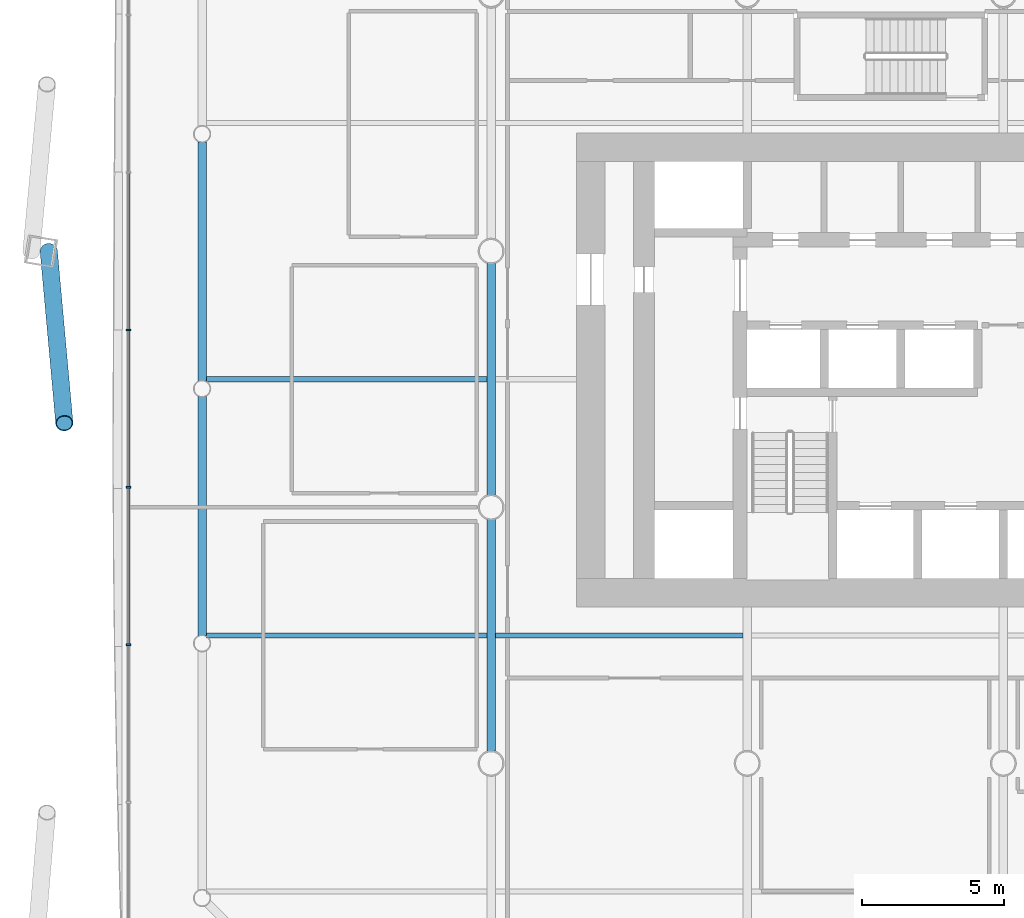
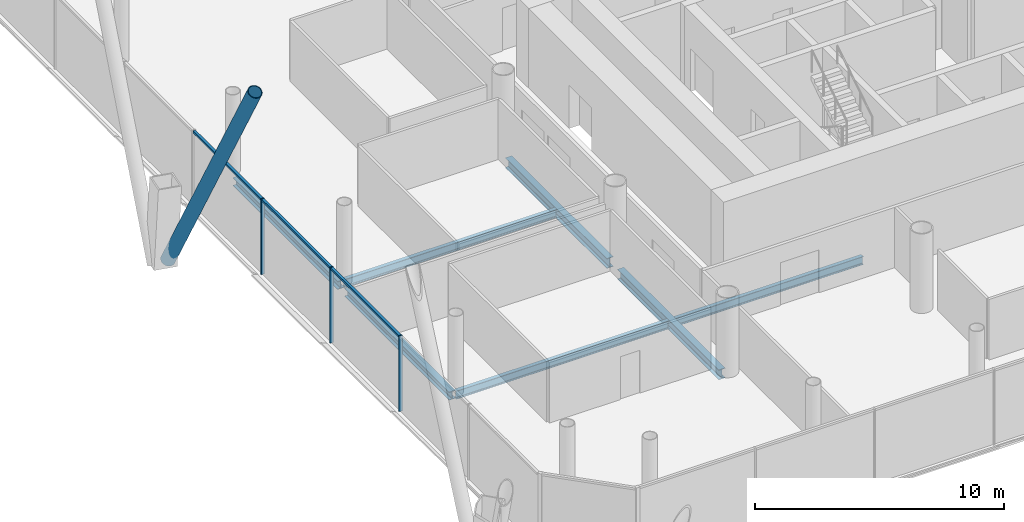
# One storey, part 5 of 25: 7 beams, 7 members, 1 element without a shape of its own.
"""IFC4 building model written with IfcOpenShell, lengths in metres."""

from ifc_helpers import new_model, si_unit, direction, frame, origin, origin_2d, place, context, subcontext, project, spatial, rectangle, hollow_circle, i_section, extrude, material, material_profile, profile_set, type_object, element, aggregate, save


model = new_model("IFC4")

# Units and contexts
model_context = context("Model", 3, precision=1e-05, world=origin(), true_north=direction((0.0, 1.0)))
body_context = subcontext(model_context, "Body", "Model", "MODEL_VIEW")
ifc_project = project(units=[si_unit("LENGTHUNIT", "METRE"), si_unit("AREAUNIT", "SQUARE_METRE"), si_unit("VOLUMEUNIT", "CUBIC_METRE"), si_unit("PLANEANGLEUNIT", "RADIAN"), si_unit("MASSUNIT", "GRAM", prefix="KILO")], contexts=[model_context])

# Site, building, storey
site_placement = place(None, origin())
site = spatial("IfcSite", under=ifc_project, at=site_placement, CompositionType="ELEMENT")
building_placement = place(site_placement, origin())
building = spatial("IfcBuilding", under=site, at=building_placement, Name="Tskaro Facet Tower", CompositionType="ELEMENT")
storey_placement = place(building_placement, frame((0.0, 0.0, 10.800048828125)))
storey = spatial("IfcBuildingStorey", under=building, at=storey_placement, Name="L01", CompositionType="ELEMENT", Elevation=10.800048828125)

# Member
ifc_material_1 = material(Name="Steel S355J2H", Category="steel")
ifc_material_profile_1 = material_profile(ifc_material_1, hollow_circle(Radius=0.304931640625, WallThickness=0.030029296875, at=origin_2d()), Name="CHS 610x30")
ifc_profile_set_1 = profile_set([ifc_material_profile_1], Name="Steel S355J2H")
member_type_1 = type_object("IfcMemberType", Name="CHS 610x30 brace", PredefinedType="BRACE", material=ifc_profile_set_1)
member_1_placement = place(storey_placement, frame((-33.544921875, 0.0, 0.0), z_axis=(0.041546280702, -0.458620557373, 0.887660459249), x_axis=(0.995921840111, 0.090220221622, 0.0)))
element("IfcMember", 1, at=member_1_placement, inside=storey, type_object=member_type_1, Name="CHS 610x30 XB11A/1", PredefinedType="BRACE", context=body_context, shape_type="SweptSolid", body=[
    extrude(hollow_circle(Radius=0.304931640625, WallThickness=0.030029296875, at=origin_2d()), origin(), (0.0, 0.0, 1.0), 13.1806640625),
])

# Curtain wall, members
ifc_material_2 = material(Name="Bronze anodised aluminium 6063-T6", Category="aluminium")
curtain_wall_type = type_object("IfcCurtainWallType", Name="Bronze office curtain wall (FW1)", PredefinedType="NOTDEFINED", material=ifc_material_2)
curtain_wall_placement = place(storey_placement, origin())
curtain_wall = element("IfcCurtainWall", 2, at=curtain_wall_placement, inside=storey, type_object=curtain_wall_type, Name="FW1 west facet L01", PredefinedType="NOTDEFINED")
ifc_material_profile_2 = material_profile(ifc_material_2, rectangle(XDim=0.06005859375, YDim=0.159912109375, at=origin_2d()), Name="Mullion 60x160")
ifc_profile_set_2 = profile_set([ifc_material_profile_2], Name="Bronze anodised aluminium 6063-T6")
member_type_2 = type_object("IfcMemberType", Name="FW1 bronze mullion 60x160", PredefinedType="MULLION", material=ifc_profile_set_2)
member_2_placement = place(storey_placement, frame((-30.75, -2.76611328125, 0.0), z_axis=(0.0, 0.0, 1.0), x_axis=(0.0, -1.0, 0.0)))
member_2 = element("IfcMember", 3, at=member_2_placement, type_object=member_type_2, Name="FW1 west mullion 5", PredefinedType="MULLION", context=body_context, shape_type="SweptSolid", body=[
    extrude(rectangle(XDim=0.06005859375, YDim=0.159912109375, at=origin_2d()), origin(), (0.0, 0.0, 1.0), 3.699951171875),
])
member_3_placement = place(storey_placement, frame((-30.75, -8.298583984375, 0.0), z_axis=(0.0, 0.0, 1.0), x_axis=(0.0, -1.0, 0.0)))
member_3 = element("IfcMember", 4, at=member_3_placement, type_object=member_type_2, Name="FW1 west mullion 6", PredefinedType="MULLION", context=body_context, shape_type="SweptSolid", body=[
    extrude(rectangle(XDim=0.06005859375, YDim=0.159912109375, at=origin_2d()), origin(), (0.0, 0.0, 1.0), 3.699951171875),
])
member_4_placement = place(storey_placement, frame((-30.75, -13.8310546875, 0.0), z_axis=(0.0, 0.0, 1.0), x_axis=(0.0, -1.0, 0.0)))
member_4 = element("IfcMember", 5, at=member_4_placement, type_object=member_type_2, Name="FW1 west mullion 7", PredefinedType="MULLION", context=body_context, shape_type="SweptSolid", body=[
    extrude(rectangle(XDim=0.06005859375, YDim=0.159912109375, at=origin_2d()), origin(), (0.0, 0.0, 1.0), 3.699951171875),
])
ifc_material_profile_3 = material_profile(ifc_material_2, rectangle(XDim=0.1201171875, YDim=0.10009765625, at=origin_2d()), Name="Transom 120x100")
ifc_profile_set_3 = profile_set([ifc_material_profile_3], Name="Bronze anodised aluminium 6063-T6")
member_type_3 = type_object("IfcMemberType", Name="FW1 bronze transom 120x100", PredefinedType="USERDEFINED", material=ifc_profile_set_3)
member_5_placement = place(storey_placement, frame((-30.75, 2.736328125, 3.64990234375), z_axis=(0.0, -1.0, 0.0), x_axis=(1.0, 0.0, 0.0)))
member_5 = element("IfcMember", 6, at=member_5_placement, type_object=member_type_3, Name="FW1 west transom 5.1", ObjectType="TRANSOM", PredefinedType="USERDEFINED", context=body_context, shape_type="SweptSolid", body=[
    extrude(rectangle(XDim=0.1201171875, YDim=0.10009765625, at=origin_2d()), origin(), (0.0, 0.0, 1.0), 5.47265625),
])
member_6_placement = place(storey_placement, frame((-30.75, -2.796142578125, 3.64990234375), z_axis=(0.0, -1.0, 0.0), x_axis=(1.0, 0.0, 0.0)))
member_6 = element("IfcMember", 7, at=member_6_placement, type_object=member_type_3, Name="FW1 west transom 6.1", ObjectType="TRANSOM", PredefinedType="USERDEFINED", context=body_context, shape_type="SweptSolid", body=[
    extrude(rectangle(XDim=0.1201171875, YDim=0.10009765625, at=origin_2d()), origin(), (0.0, 0.0, 1.0), 5.472412109375),
])
member_7_placement = place(storey_placement, frame((-30.75, -8.32861328125, 3.64990234375), z_axis=(0.0, -1.0, 0.0), x_axis=(1.0, 0.0, 0.0)))
member_7 = element("IfcMember", 8, at=member_7_placement, type_object=member_type_3, Name="FW1 west transom 7.1", ObjectType="TRANSOM", PredefinedType="USERDEFINED", context=body_context, shape_type="SweptSolid", body=[
    extrude(rectangle(XDim=0.1201171875, YDim=0.10009765625, at=origin_2d()), origin(), (0.0, 0.0, 1.0), 5.472412109375),
])
aggregate(curtain_wall, [member_2, member_3, member_4, member_5, member_6, member_7])

# Beams
ifc_material_3 = material(Name="Steel S355J2", Category="steel")
ifc_material_profile_4 = material_profile(ifc_material_3, i_section(OverallWidth=0.300048828125, OverallDepth=0.39990234375, WebThickness=0.013427734375, FlangeThickness=0.02392578125, FilletRadius=0.027099609375, at=origin_2d()), Name="HE 400 B")
ifc_profile_set_4 = profile_set([ifc_material_profile_4], Name="Steel S355J2")
beam_type_1 = type_object("IfcBeamType", Name="HE 400 B ring beam", PredefinedType="BEAM", material=ifc_profile_set_4)
beam_1_placement = place(storey_placement, frame((-28.156982421875, 3.841064453125, -0.340087890625), z_axis=(0.0, -1.0, 0.0), x_axis=(1.0, 0.0, 0.0)))
element("IfcBeam", 9, at=beam_1_placement, inside=storey, type_object=beam_type_1, Name="HE 400 B EB22-1", PredefinedType="BEAM", context=body_context, shape_type="SweptSolid", body=[
    extrude(i_section(OverallWidth=0.300048828125, OverallDepth=0.39990234375, WebThickness=0.013427734375, FlangeThickness=0.02392578125, FilletRadius=0.027099609375, at=origin_2d()), origin(), (0.0, 0.0, 1.0), 8.399169921875),
])
beam_2_placement = place(storey_placement, frame((-28.156982421875, -5.10791015625, -0.340087890625), z_axis=(0.0, -1.0, 0.0), x_axis=(1.0, 0.0, 0.0)))
element("IfcBeam", 10, at=beam_2_placement, inside=storey, type_object=beam_type_1, Name="HE 400 B EB23-1", PredefinedType="BEAM", context=body_context, shape_type="SweptSolid", body=[
    extrude(i_section(OverallWidth=0.300048828125, OverallDepth=0.39990234375, WebThickness=0.013427734375, FlangeThickness=0.02392578125, FilletRadius=0.027099609375, at=origin_2d()), origin(), (0.0, 0.0, 1.0), 8.398193359375),
])
ifc_material_profile_5 = material_profile(ifc_material_3, i_section(OverallWidth=0.300048828125, OverallDepth=0.489990234375, WebThickness=0.011962890625, FlangeThickness=0.02294921875, FilletRadius=0.027099609375, at=origin_2d()), Name="HE 500 A")
ifc_profile_set_5 = profile_set([ifc_material_profile_5], Name="Steel S355J2")
beam_type_2 = type_object("IfcBeamType", Name="HE 500 A girder", PredefinedType="BEAM", material=ifc_profile_set_5)
for number, where, z_axis, x_axis, name in (
    (11, (-18.0, -17.57275390625, -0.385009765625), (0.0, 1.0, 0.0), (-1.0, 0.0, 0.0), "HE 500 A GB2-2-1"),
    (12, (-18.0, -8.57275390625, -0.385009765625), (0.0, 1.0, 0.0), (-1.0, 0.0, 0.0), "HE 500 A GB2-3-1"),
):
    element("IfcBeam", number, at=place(storey_placement, frame(where, z_axis=z_axis, x_axis=x_axis)), inside=storey, type_object=beam_type_2, Name=name, PredefinedType="BEAM", context=body_context, shape_type="SweptSolid", body=[
        extrude(i_section(OverallWidth=0.300048828125, OverallDepth=0.489990234375, WebThickness=0.011962890625, FlangeThickness=0.02294921875, FilletRadius=0.027099609375, at=origin_2d()), origin(), (0.0, 0.0, 1.0), 8.1455078125),
    ])
ifc_material_profile_6 = material_profile(ifc_material_3, i_section(OverallWidth=0.179931640625, OverallDepth=0.39990234375, WebThickness=0.008544921875, FlangeThickness=0.013427734375, FilletRadius=0.02099609375, at=origin_2d()), Name="IPE 400")
ifc_profile_set_6 = profile_set([ifc_material_profile_6], Name="Steel S355J2")
beam_type_3 = type_object("IfcBeamType", Name="IPE 400 secondary beam", PredefinedType="BEAM", material=ifc_profile_set_6)
beam_3_placement = place(storey_placement, frame((-28.007080078125, -13.5, -0.340087890625), z_axis=(1.0, 0.0, 0.0), x_axis=(0.0, 1.0, 0.0)))
element("IfcBeam", 13, at=beam_3_placement, inside=storey, type_object=beam_type_3, Name="IPE 400 SB2a-1-1", PredefinedType="BEAM", context=body_context, shape_type="SweptSolid", body=[
    extrude(i_section(OverallWidth=0.179931640625, OverallDepth=0.39990234375, WebThickness=0.008544921875, FlangeThickness=0.013427734375, FilletRadius=0.02099609375, at=origin_2d()), origin(), (0.0, 0.0, 1.0), 9.857177734375),
])
beam_4_placement = place(storey_placement, frame((-17.85009765625, -13.5, -0.340087890625), z_axis=(1.0, 0.0, 0.0), x_axis=(0.0, 1.0, 0.0)))
element("IfcBeam", 14, at=beam_4_placement, inside=storey, type_object=beam_type_3, Name="IPE 400 SB2a-2-1", PredefinedType="BEAM", context=body_context, shape_type="SweptSolid", body=[
    extrude(i_section(OverallWidth=0.179931640625, OverallDepth=0.39990234375, WebThickness=0.008544921875, FlangeThickness=0.013427734375, FilletRadius=0.02099609375, at=origin_2d()), origin(), (0.0, 0.0, 1.0), 8.7001953125),
])
beam_5_placement = place(storey_placement, frame((-28.007080078125, -4.5, -0.340087890625), z_axis=(1.0, 0.0, 0.0), x_axis=(0.0, 1.0, 0.0)))
element("IfcBeam", 15, at=beam_5_placement, inside=storey, type_object=beam_type_3, Name="IPE 400 SB3a-1-1", PredefinedType="BEAM", context=body_context, shape_type="SweptSolid", body=[
    extrude(i_section(OverallWidth=0.179931640625, OverallDepth=0.39990234375, WebThickness=0.008544921875, FlangeThickness=0.013427734375, FilletRadius=0.02099609375, at=origin_2d()), origin(), (0.0, 0.0, 1.0), 9.857177734375),
])

save(model, "model.ifc")
